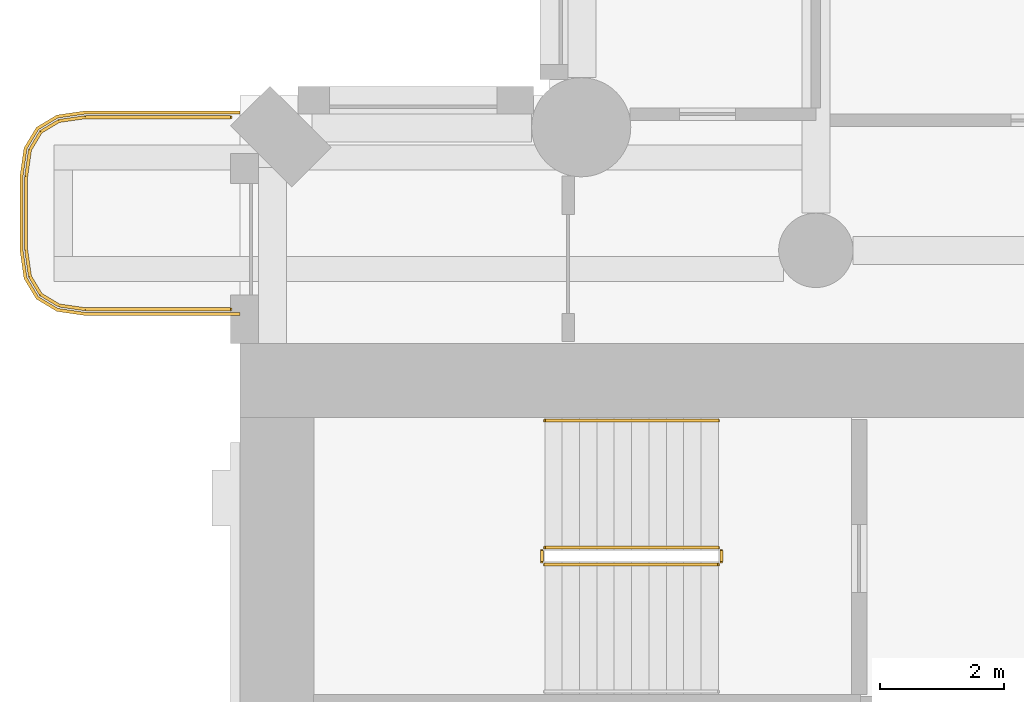
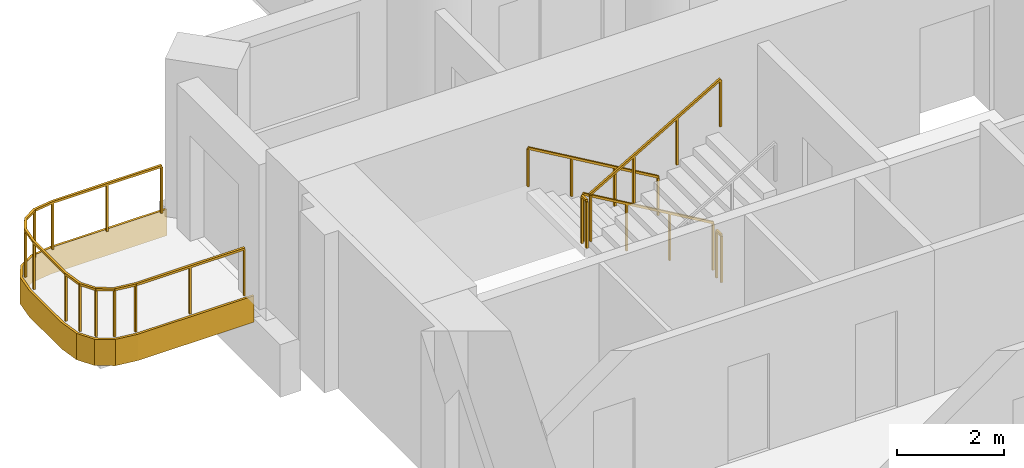
# One storey, part 16 of 19: 6 railings, 1 covering.
"""IFC4 building model written with IfcOpenShell, lengths in metres."""

from ifc_helpers import new_model, si_unit, direction, frame, origin, origin_2d, place, context, subcontext, project, spatial, polyline, rectangle, outline, extrude, material, layer, layer_set, type_object, element, save


model = new_model("IFC4")

# Units and contexts
model_context = context("Model", 3, precision=1e-05, world=origin(), true_north=direction((0.0, 1.0)))
body_context = subcontext(model_context, "Body", "Model", "MODEL_VIEW")
ifc_project = project(units=[si_unit("LENGTHUNIT", "METRE"), si_unit("AREAUNIT", "SQUARE_METRE"), si_unit("VOLUMEUNIT", "CUBIC_METRE"), si_unit("PLANEANGLEUNIT", "RADIAN"), si_unit("MASSUNIT", "GRAM", prefix="KILO")], contexts=[model_context])

# Site, building, storey
site_placement = place(None, origin())
site = spatial("IfcSite", under=ifc_project, at=site_placement, CompositionType="ELEMENT")
building_placement = place(site_placement, origin())
building = spatial("IfcBuilding", under=site, at=building_placement, Name="Cypress Arch Tower", CompositionType="ELEMENT")
storey_placement = place(building_placement, frame((0.0, 0.0, 69.89990234375)))
storey = spatial("IfcBuildingStorey", under=building, at=storey_placement, Name="L11", CompositionType="ELEMENT", Elevation=69.89990234375)

# Covering
ifc_material_1 = material(Name="White powder-coated aluminium fascia", Category="aluminium")
ifc_layer = layer(ifc_material_1, 0.050048828125)
ifc_layer_set = layer_set([ifc_layer], Name="Balcony fascia BF50")
covering_type = type_object("IfcCoveringType", Name="Balcony fascia BF50", PredefinedType="CLADDING", material=ifc_layer_set)
covering_placement = place(storey_placement, frame((0.0, 0.0, -0.599853515625)))
element("IfcCovering", 1, at=covering_placement, inside=storey, type_object=covering_type, Name="Balcony fascia L11-A00W0", PredefinedType="CLADDING", context=body_context, shape_type="SweptSolid", body=[
    extrude(outline(polyline([(-32.503662109375, 16.449951171875), (-32.95458984375, 16.514404296875), (-33.286376953125, 16.713623046875), (-33.485595703125, 17.04541015625), (-33.550048828125, 17.496337890625), (-33.550048828125, 18.70361328125), (-33.485595703125, 19.154541015625), (-33.286376953125, 19.486328125), (-32.95458984375, 19.685546875), (-32.503662109375, 19.75), (-30.0009765625, 19.75), (-30.0009765625, 19.699951171875), (-32.5, 19.699951171875), (-32.9375, 19.637451171875), (-33.25, 19.449951171875), (-33.4375, 19.137451171875), (-33.5, 18.699951171875), (-33.5, 17.5), (-33.4375, 17.0625), (-33.25, 16.75), (-32.9375, 16.5625), (-32.5, 16.5), (-30.0009765625, 16.5), (-30.0009765625, 16.449951171875), (-32.503662109375, 16.449951171875)])), origin(), (0.0, 0.0, 1.0), 0.599853515625),
])

# Railings
ifc_material_2 = material(Name="Powder-coated steel posts and rods, 100 mm clear between rods", Category="steel")
railing_type_1 = type_object("IfcRailingType", Name="Balcony guard GR1100", PredefinedType="GUARDRAIL", material=ifc_material_2)
railing_1_placement = place(storey_placement, frame((-30.14990234375, 16.550048828125, 0.0)))
element("IfcRailing", 2, at=railing_1_placement, inside=storey, type_object=railing_type_1, Name="Balcony guard L11-A00W0", PredefinedType="GUARDRAIL", context=body_context, shape_type="SweptSolid", body=[
    extrude(rectangle(XDim=0.050048828125, YDim=0.050048828125, at=origin_2d()), frame((0.0, 0.0, 1.0751953125), z_axis=(-1.0, 0.0, 0.0), x_axis=(0.0, -1.0, 0.0)), (0.0, 0.0, 1.0), 2.346435546875),
    extrude(rectangle(XDim=0.050048828125, YDim=0.050048828125, at=origin_2d()), frame((-2.346435546875, 0.0, 1.0751953125), z_axis=(-0.989960888959, 0.141341566184, 0.0), x_axis=(-0.141341566184, -0.989960888959, 0.0)), (0.0, 0.0, 1.0), 0.428466796875),
    extrude(rectangle(XDim=0.050048828125, YDim=0.050048828125, at=origin_2d()), frame((-2.7705078125, 0.060546875, 1.0751953125), z_axis=(-0.857681904839, 0.514180659021, 0.0), x_axis=(-0.514180659021, -0.857681904839, 0.0)), (0.0, 0.0, 1.0), 0.341796875),
    extrude(rectangle(XDim=0.050048828125, YDim=0.050048828125, at=origin_2d()), frame((-3.063720703125, 0.236328125, 1.0751953125), z_axis=(-0.514180659021, 0.857681904839, 0.0), x_axis=(-0.857681904839, -0.514180659021, 0.0)), (0.0, 0.0, 1.0), 0.341796875),
    extrude(rectangle(XDim=0.050048828125, YDim=0.050048828125, at=origin_2d()), frame((-3.239501953125, 0.529541015625, 1.0751953125), z_axis=(-0.141341566184, 0.989960888959, 0.0), x_axis=(-0.989960888959, -0.141341566184, 0.0)), (0.0, 0.0, 1.0), 0.428466796875),
    extrude(rectangle(XDim=0.050048828125, YDim=0.050048828125, at=origin_2d()), frame((-3.300048828125, 0.95361328125, 1.0751953125), z_axis=(0.0, 1.0, 0.0), x_axis=(-1.0, 0.0, 0.0)), (0.0, 0.0, 1.0), 1.19287109375),
    extrude(rectangle(XDim=0.050048828125, YDim=0.050048828125, at=origin_2d()), frame((-3.300048828125, 2.146484375, 1.0751953125), z_axis=(0.141421356237, 0.989949493661, 0.0), x_axis=(-0.989949493661, 0.141421356237, 0.0)), (0.0, 0.0, 1.0), 0.42822265625),
    extrude(rectangle(XDim=0.050048828125, YDim=0.050048828125, at=origin_2d()), frame((-3.239501953125, 2.5703125, 1.0751953125), z_axis=(0.514180659021, 0.857681904839, 0.0), x_axis=(-0.857681904839, 0.514180659021, 0.0)), (0.0, 0.0, 1.0), 0.341796875),
    extrude(rectangle(XDim=0.050048828125, YDim=0.050048828125, at=origin_2d()), frame((-3.063720703125, 2.863525390625, 1.0751953125), z_axis=(0.857681904839, 0.514180659021, 0.0), x_axis=(-0.514180659021, 0.857681904839, 0.0)), (0.0, 0.0, 1.0), 0.341796875),
    extrude(rectangle(XDim=0.050048828125, YDim=0.050048828125, at=origin_2d()), frame((-2.7705078125, 3.039306640625, 1.0751953125), z_axis=(0.989960888959, 0.141341566184, 0.0), x_axis=(-0.141341566184, 0.989960888959, 0.0)), (0.0, 0.0, 1.0), 0.428466796875),
    extrude(rectangle(XDim=0.050048828125, YDim=0.050048828125, at=origin_2d()), frame((-2.346435546875, 3.099853515625, 1.0751953125), z_axis=(1.0, 0.0, 0.0), x_axis=(0.0, 1.0, 0.0)), (0.0, 0.0, 1.0), 2.346435546875),
    extrude(rectangle(XDim=0.0400390625, YDim=0.0400390625, at=origin_2d()), origin(), (0.0, 0.0, 1.0), 1.050048828125),
    extrude(rectangle(XDim=0.0400390625, YDim=0.0400390625, at=origin_2d()), frame((-1.17333984375, 0.0, 0.0)), (0.0, 0.0, 1.0), 1.050048828125),
    extrude(rectangle(XDim=0.0400390625, YDim=0.0400390625, at=origin_2d()), frame((-2.346435546875, 0.0, 0.0)), (0.0, 0.0, 1.0), 1.050048828125),
    extrude(rectangle(XDim=0.0400390625, YDim=0.0400390625, at=origin_2d()), frame((-2.7705078125, 0.060546875, 0.0)), (0.0, 0.0, 1.0), 1.050048828125),
    extrude(rectangle(XDim=0.0400390625, YDim=0.0400390625, at=origin_2d()), frame((-3.063720703125, 0.236328125, 0.0)), (0.0, 0.0, 1.0), 1.050048828125),
    extrude(rectangle(XDim=0.0400390625, YDim=0.0400390625, at=origin_2d()), frame((-3.239501953125, 0.529541015625, 0.0)), (0.0, 0.0, 1.0), 1.050048828125),
    extrude(rectangle(XDim=0.0400390625, YDim=0.0400390625, at=origin_2d()), frame((-3.300048828125, 0.95361328125, 0.0)), (0.0, 0.0, 1.0), 1.050048828125),
    extrude(rectangle(XDim=0.0400390625, YDim=0.0400390625, at=origin_2d()), frame((-3.300048828125, 2.146484375, 0.0)), (0.0, 0.0, 1.0), 1.050048828125),
    extrude(rectangle(XDim=0.0400390625, YDim=0.0400390625, at=origin_2d()), frame((-3.239501953125, 2.5703125, 0.0)), (0.0, 0.0, 1.0), 1.050048828125),
    extrude(rectangle(XDim=0.0400390625, YDim=0.0400390625, at=origin_2d()), frame((-3.063720703125, 2.863525390625, 0.0)), (0.0, 0.0, 1.0), 1.050048828125),
    extrude(rectangle(XDim=0.0400390625, YDim=0.0400390625, at=origin_2d()), frame((-2.7705078125, 3.039306640625, 0.0)), (0.0, 0.0, 1.0), 1.050048828125),
    extrude(rectangle(XDim=0.0400390625, YDim=0.0400390625, at=origin_2d()), frame((-2.346435546875, 3.099853515625, 0.0)), (0.0, 0.0, 1.0), 1.050048828125),
    extrude(rectangle(XDim=0.0400390625, YDim=0.0400390625, at=origin_2d()), frame((-1.17333984375, 3.099853515625, 0.0)), (0.0, 0.0, 1.0), 1.050048828125),
    extrude(rectangle(XDim=0.0400390625, YDim=0.0400390625, at=origin_2d()), frame((0.0, 3.099853515625, 0.0)), (0.0, 0.0, 1.0), 1.050048828125),
])
ifc_material_3 = material(Name="Black powder-coated steel square bar 48 mm", Category="steel")
railing_type_2 = type_object("IfcRailingType", Name="Stair handrail HR1", PredefinedType="HANDRAIL", material=ifc_material_3)
railing_2_placement = place(storey_placement, frame((-22.27490234375, 14.75, 0.163818359375)))
element("IfcRailing", 3, at=railing_2_placement, inside=storey, type_object=railing_type_2, Name="L11 B stair handrail 1", PredefinedType="HANDRAIL", context=body_context, shape_type="SweptSolid", body=[
    extrude(rectangle(XDim=0.048095703125, YDim=0.048095703125, at=origin_2d()), frame((0.0, 0.0, 0.8759765625), z_axis=(-0.863393664356, 0.0, 0.504530851732), x_axis=(0.0, -1.0, 0.0)), (0.0, 0.0, 1.0), 3.2431640625),
    extrude(rectangle(XDim=0.0419921875, YDim=0.0419921875, at=origin_2d()), origin(), (0.0, 0.0, 1.0), 0.851806640625),
    extrude(rectangle(XDim=0.0419921875, YDim=0.0419921875, at=origin_2d()), frame((-0.933349609375, 0.0, 0.54541015625)), (0.0, 0.0, 1.0), 0.851806640625),
    extrude(rectangle(XDim=0.0419921875, YDim=0.0419921875, at=origin_2d()), frame((-1.86669921875, 0.0, 1.0908203125)), (0.0, 0.0, 1.0), 0.851806640625),
    extrude(rectangle(XDim=0.0419921875, YDim=0.0419921875, at=origin_2d()), frame((-2.800048828125, 0.0, 1.63623046875)), (0.0, 0.0, 1.0), 0.851806640625),
])
ifc_material_4 = material(Name="Black powder-coated steel balusters", Category="steel")
railing_type_3 = type_object("IfcRailingType", Name="Stair well guard G1", PredefinedType="GUARDRAIL", material=ifc_material_4)
railing_3_placement = place(storey_placement, frame((-22.27490234375, 12.699951171875, 0.163818359375)))
element("IfcRailing", 4, at=railing_3_placement, inside=storey, type_object=railing_type_3, Name="L11 B stair guard 1", PredefinedType="GUARDRAIL", context=body_context, shape_type="SweptSolid", body=[
    extrude(rectangle(XDim=0.048095703125, YDim=0.048095703125, at=origin_2d()), frame((0.0, 0.0, 1.076171875), z_axis=(-0.863393664356, 0.0, 0.504530851732), x_axis=(0.0, -1.0, 0.0)), (0.0, 0.0, 1.0), 3.2431640625),
    extrude(rectangle(XDim=0.0419921875, YDim=0.0419921875, at=origin_2d()), origin(), (0.0, 0.0, 1.0), 1.052001953125),
    extrude(rectangle(XDim=0.0419921875, YDim=0.0419921875, at=origin_2d()), frame((-0.933349609375, 0.0, 0.54541015625)), (0.0, 0.0, 1.0), 1.052001953125),
    extrude(rectangle(XDim=0.0419921875, YDim=0.0419921875, at=origin_2d()), frame((-1.86669921875, 0.0, 1.0908203125)), (0.0, 0.0, 1.0), 1.052001953125),
    extrude(rectangle(XDim=0.0419921875, YDim=0.0419921875, at=origin_2d()), frame((-2.800048828125, 0.0, 1.63623046875)), (0.0, 0.0, 1.0), 1.052001953125),
])
railing_4_placement = place(storey_placement, frame((-25.125, 12.64990234375, 1.800048828125)))
element("IfcRailing", 5, at=railing_4_placement, inside=storey, type_object=railing_type_3, Name="L11 B stair guard 2", PredefinedType="GUARDRAIL", context=body_context, shape_type="SweptSolid", body=[
    extrude(rectangle(XDim=0.048095703125, YDim=0.048095703125, at=origin_2d()), frame((0.0, 0.0, 1.076171875), z_axis=(0.0, -1.0, 0.0), x_axis=(1.0, 0.0, 0.0)), (0.0, 0.0, 1.0), 0.1748046875),
    extrude(rectangle(XDim=0.0419921875, YDim=0.0419921875, at=origin_2d()), origin(), (0.0, 0.0, 1.0), 1.052001953125),
    extrude(rectangle(XDim=0.0419921875, YDim=0.0419921875, at=origin_2d()), frame((0.0, -0.1748046875, 0.0)), (0.0, 0.0, 1.0), 1.052001953125),
])
railing_5_placement = place(storey_placement, frame((-25.074951171875, 12.425048828125, 1.963623046875)))
element("IfcRailing", 6, at=railing_5_placement, inside=storey, type_object=railing_type_3, Name="L11 B stair guard 3", PredefinedType="GUARDRAIL", context=body_context, shape_type="SweptSolid", body=[
    extrude(rectangle(XDim=0.048095703125, YDim=0.048095703125, at=origin_2d()), frame((0.0, 0.0, 1.076171875), z_axis=(0.863360870873, 0.0, 0.504586966384), x_axis=(0.0, 1.0, 0.0)), (0.0, 0.0, 1.0), 3.2431640625),
    extrude(rectangle(XDim=0.0419921875, YDim=0.0419921875, at=origin_2d()), origin(), (0.0, 0.0, 1.0), 1.052001953125),
    extrude(rectangle(XDim=0.0419921875, YDim=0.0419921875, at=origin_2d()), frame((0.933349609375, 0.0, 0.54541015625)), (0.0, 0.0, 1.0), 1.052001953125),
    extrude(rectangle(XDim=0.0419921875, YDim=0.0419921875, at=origin_2d()), frame((1.86669921875, 0.0, 1.091064453125)), (0.0, 0.0, 1.0), 1.052001953125),
    extrude(rectangle(XDim=0.0419921875, YDim=0.0419921875, at=origin_2d()), frame((2.800048828125, 0.0, 1.636474609375)), (0.0, 0.0, 1.0), 1.052001953125),
])
railing_6_placement = place(storey_placement, frame((-22.22509765625, 12.64990234375, 0.0)))
element("IfcRailing", 7, at=railing_6_placement, inside=storey, type_object=railing_type_3, Name="L11 B stair guard 4", PredefinedType="GUARDRAIL", context=body_context, shape_type="SweptSolid", body=[
    extrude(rectangle(XDim=0.048095703125, YDim=0.048095703125, at=origin_2d()), frame((0.0, 0.0, 1.076171875), z_axis=(0.0, -1.0, 0.0), x_axis=(1.0, 0.0, 0.0)), (0.0, 0.0, 1.0), 0.1748046875),
    extrude(rectangle(XDim=0.0419921875, YDim=0.0419921875, at=origin_2d()), origin(), (0.0, 0.0, 1.0), 1.052001953125),
    extrude(rectangle(XDim=0.0419921875, YDim=0.0419921875, at=origin_2d()), frame((0.0, -0.1748046875, 0.0)), (0.0, 0.0, 1.0), 1.052001953125),
])

save(model, "model.ifc")
